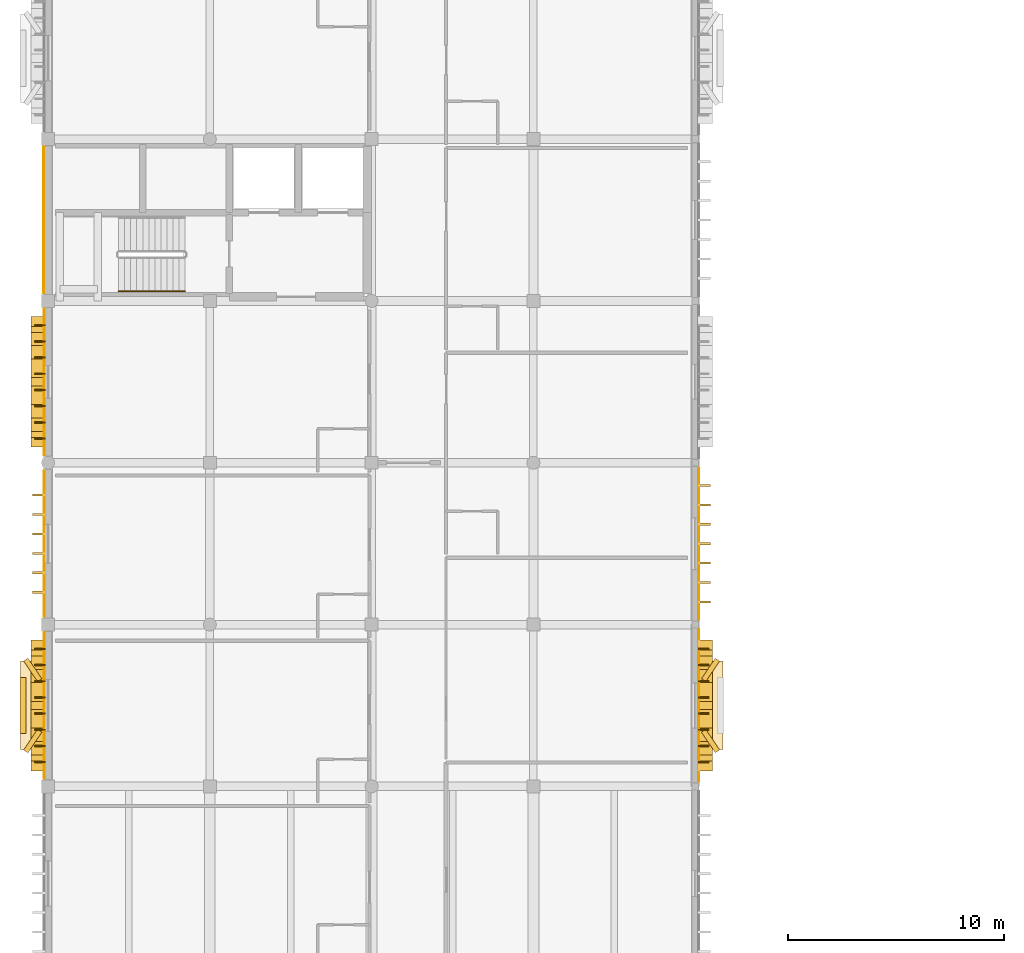
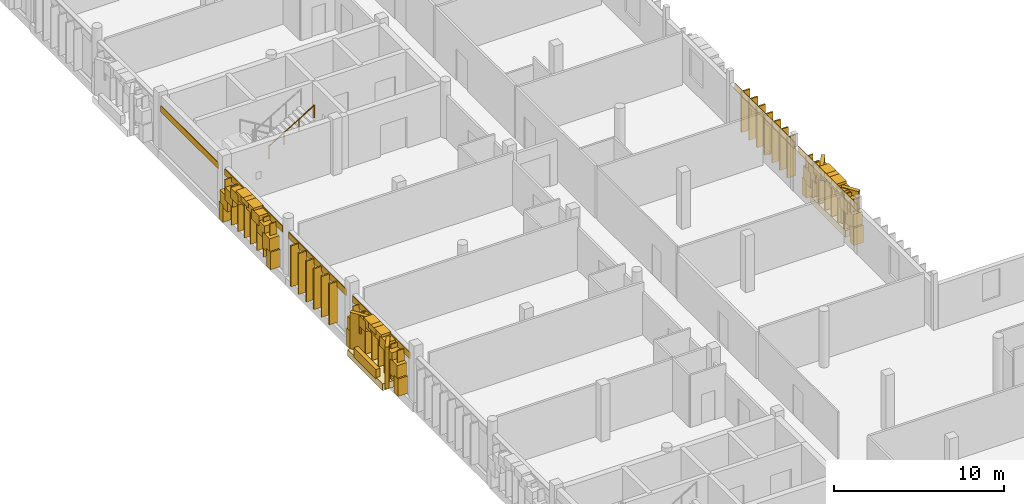
# One storey, part 25 of 33: 59 coverings, 24 shading devices, 1 railing.
"""IFC4 building model written with IfcOpenShell, lengths in metres."""

from ifc_helpers import new_model, si_unit, direction, frame, origin, origin_2d, place, context, subcontext, project, spatial, rectangle, circle, extrude, material, layer, layer_set, type_object, element, save


model = new_model("IFC4")

# Units and contexts
model_context = context("Model", 3, precision=1e-05, world=origin(), true_north=direction((0.0, 1.0)))
body_context = subcontext(model_context, "Body", "Model", "MODEL_VIEW")
ifc_project = project(units=[si_unit("LENGTHUNIT", "METRE"), si_unit("AREAUNIT", "SQUARE_METRE"), si_unit("VOLUMEUNIT", "CUBIC_METRE"), si_unit("PLANEANGLEUNIT", "RADIAN"), si_unit("MASSUNIT", "GRAM", prefix="KILO")], contexts=[model_context])

# Site, building, storey
site_placement = place(None, origin())
site = spatial("IfcSite", under=ifc_project, at=site_placement, CompositionType="ELEMENT")
building_placement = place(site_placement, origin())
building = spatial("IfcBuilding", under=site, at=building_placement, Name="Dalvernix Boulevard General Hospital", CompositionType="ELEMENT")
storey_placement = place(building_placement, frame((0.0, 0.0, 21.89990234375)))
storey = spatial("IfcBuildingStorey", under=building, at=storey_placement, Name="L05", CompositionType="ELEMENT", Elevation=21.89990234375)

# Coverings
ifc_material_1 = material(Name="Pressed Catalan clay brick and dressed limestone parabolic archivolt", Category="masonry")
ifc_layer_1 = layer(ifc_material_1, 0.419921875)
ifc_layer_set_1 = layer_set([ifc_layer_1], Name="Pressed Catalan clay brick and dressed limestone parabolic archivolt (COV-ARC-01)")
covering_type_1 = type_object("IfcCoveringType", Name="COV-ARC-01", PredefinedType="CLADDING", material=ifc_layer_set_1)
for number, where, z_axis, x_axis, name in (
    (1, (-0.4599609375, 32.449951171875, 0.0), (0.0, 0.0, 1.0), (0.0, 1.0, 0.0), "L05 Catalan parabolic arch impost pier W 0-4-L"),
    (2, (-0.4599609375, 38.050048828125, 0.0), (0.0, 0.0, 1.0), (0.0, 1.0, 0.0), "L05 Catalan parabolic arch impost pier W 0-4-R"),
):
    element("IfcCovering", number, at=place(storey_placement, frame(where, z_axis=z_axis, x_axis=x_axis)), inside=storey, type_object=covering_type_1, Name=name, PredefinedType="CLADDING", context=body_context, shape_type="SweptSolid", body=[
        extrude(rectangle(XDim=0.4599609375, YDim=0.659912109375, at=origin_2d()), origin(), (0.0, 0.0, 1.0), 1.25),
    ])
covering_1_placement = place(storey_placement, frame((-0.4599609375, 32.760986328125, 1.06005859375), z_axis=(0.0, 0.0, 1.0), x_axis=(0.0, 1.0, 0.0)))
element("IfcCovering", 3, at=covering_1_placement, inside=storey, type_object=covering_type_1, Name="L05 Catalan parabolic archivolt voussoir W 0-4-1", PredefinedType="CLADDING", context=body_context, shape_type="SweptSolid", body=[
    extrude(rectangle(XDim=0.8623046875, YDim=0.659912109375, at=origin_2d()), origin(), (0.0, 0.0, 1.0), 1.091064453125),
])
covering_2_placement = place(storey_placement, frame((-0.4599609375, 33.38330078125, 1.77099609375), z_axis=(0.0, 0.0, 1.0), x_axis=(0.0, 1.0, 0.0)))
element("IfcCovering", 4, at=covering_2_placement, inside=storey, type_object=covering_type_1, Name="L05 Catalan parabolic archivolt voussoir W 0-4-2", PredefinedType="CLADDING", context=body_context, shape_type="SweptSolid", body=[
    extrude(rectangle(XDim=0.8623046875, YDim=0.659912109375, at=origin_2d()), origin(), (0.0, 0.0, 1.0), 0.913330078125),
])
covering_3_placement = place(storey_placement, frame((-0.4599609375, 34.005615234375, 2.3046875), z_axis=(0.0, 0.0, 1.0), x_axis=(0.0, 1.0, 0.0)))
element("IfcCovering", 5, at=covering_3_placement, inside=storey, type_object=covering_type_1, Name="L05 Catalan parabolic archivolt voussoir W 0-4-3", PredefinedType="CLADDING", context=body_context, shape_type="SweptSolid", body=[
    extrude(rectangle(XDim=0.8623046875, YDim=0.659912109375, at=origin_2d()), origin(), (0.0, 0.0, 1.0), 0.735595703125),
])
covering_4_placement = place(storey_placement, frame((-0.4599609375, 34.627685546875, 2.66015625), z_axis=(0.0, 0.0, 1.0), x_axis=(0.0, 1.0, 0.0)))
element("IfcCovering", 6, at=covering_4_placement, inside=storey, type_object=covering_type_1, Name="L05 Catalan parabolic archivolt voussoir W 0-4-4", PredefinedType="CLADDING", context=body_context, shape_type="SweptSolid", body=[
    extrude(rectangle(XDim=0.8623046875, YDim=0.659912109375, at=origin_2d()), origin(), (0.0, 0.0, 1.0), 0.557861328125),
])
covering_5_placement = place(storey_placement, frame((-0.4599609375, 35.25, 2.837890625), z_axis=(0.0, 0.0, 1.0), x_axis=(0.0, 1.0, 0.0)))
element("IfcCovering", 7, at=covering_5_placement, inside=storey, type_object=covering_type_1, Name="L05 Catalan parabolic archivolt voussoir W 0-4-5", PredefinedType="CLADDING", context=body_context, shape_type="SweptSolid", body=[
    extrude(rectangle(XDim=0.8623046875, YDim=0.659912109375, at=origin_2d()), origin(), (0.0, 0.0, 1.0), 0.3798828125),
])
covering_6_placement = place(storey_placement, frame((-0.4599609375, 35.872314453125, 2.66015625), z_axis=(0.0, 0.0, 1.0), x_axis=(0.0, 1.0, 0.0)))
element("IfcCovering", 8, at=covering_6_placement, inside=storey, type_object=covering_type_1, Name="L05 Catalan parabolic archivolt voussoir W 0-4-6", PredefinedType="CLADDING", context=body_context, shape_type="SweptSolid", body=[
    extrude(rectangle(XDim=0.8623046875, YDim=0.659912109375, at=origin_2d()), origin(), (0.0, 0.0, 1.0), 0.557861328125),
])
covering_7_placement = place(storey_placement, frame((-0.4599609375, 36.494384765625, 2.3046875), z_axis=(0.0, 0.0, 1.0), x_axis=(0.0, 1.0, 0.0)))
element("IfcCovering", 9, at=covering_7_placement, inside=storey, type_object=covering_type_1, Name="L05 Catalan parabolic archivolt voussoir W 0-4-7", PredefinedType="CLADDING", context=body_context, shape_type="SweptSolid", body=[
    extrude(rectangle(XDim=0.8623046875, YDim=0.659912109375, at=origin_2d()), origin(), (0.0, 0.0, 1.0), 0.735595703125),
])
covering_8_placement = place(storey_placement, frame((-0.4599609375, 37.11669921875, 1.77099609375), z_axis=(0.0, 0.0, 1.0), x_axis=(0.0, 1.0, 0.0)))
element("IfcCovering", 10, at=covering_8_placement, inside=storey, type_object=covering_type_1, Name="L05 Catalan parabolic archivolt voussoir W 0-4-8", PredefinedType="CLADDING", context=body_context, shape_type="SweptSolid", body=[
    extrude(rectangle(XDim=0.8623046875, YDim=0.659912109375, at=origin_2d()), origin(), (0.0, 0.0, 1.0), 0.913330078125),
])
covering_9_placement = place(storey_placement, frame((-0.4599609375, 37.739013671875, 1.06005859375), z_axis=(0.0, 0.0, 1.0), x_axis=(0.0, 1.0, 0.0)))
element("IfcCovering", 11, at=covering_9_placement, inside=storey, type_object=covering_type_1, Name="L05 Catalan parabolic archivolt voussoir W 0-4-9", PredefinedType="CLADDING", context=body_context, shape_type="SweptSolid", body=[
    extrude(rectangle(XDim=0.8623046875, YDim=0.659912109375, at=origin_2d()), origin(), (0.0, 0.0, 1.0), 1.091064453125),
])
for number, where, z_axis, x_axis, name in (
    (12, (-0.4599609375, 47.449951171875, 0.0), (0.0, 0.0, 1.0), (0.0, 1.0, 0.0), "L05 Catalan parabolic arch impost pier W 0-6-L"),
    (13, (-0.4599609375, 53.050048828125, 0.0), (0.0, 0.0, 1.0), (0.0, 1.0, 0.0), "L05 Catalan parabolic arch impost pier W 0-6-R"),
):
    element("IfcCovering", number, at=place(storey_placement, frame(where, z_axis=z_axis, x_axis=x_axis)), inside=storey, type_object=covering_type_1, Name=name, PredefinedType="CLADDING", context=body_context, shape_type="SweptSolid", body=[
        extrude(rectangle(XDim=0.4599609375, YDim=0.659912109375, at=origin_2d()), origin(), (0.0, 0.0, 1.0), 1.25),
    ])
covering_10_placement = place(storey_placement, frame((-0.4599609375, 47.760986328125, 1.06005859375), z_axis=(0.0, 0.0, 1.0), x_axis=(0.0, 1.0, 0.0)))
element("IfcCovering", 14, at=covering_10_placement, inside=storey, type_object=covering_type_1, Name="L05 Catalan parabolic archivolt voussoir W 0-6-1", PredefinedType="CLADDING", context=body_context, shape_type="SweptSolid", body=[
    extrude(rectangle(XDim=0.8623046875, YDim=0.659912109375, at=origin_2d()), origin(), (0.0, 0.0, 1.0), 1.091064453125),
])
covering_11_placement = place(storey_placement, frame((-0.4599609375, 48.38330078125, 1.77099609375), z_axis=(0.0, 0.0, 1.0), x_axis=(0.0, 1.0, 0.0)))
element("IfcCovering", 15, at=covering_11_placement, inside=storey, type_object=covering_type_1, Name="L05 Catalan parabolic archivolt voussoir W 0-6-2", PredefinedType="CLADDING", context=body_context, shape_type="SweptSolid", body=[
    extrude(rectangle(XDim=0.8623046875, YDim=0.659912109375, at=origin_2d()), origin(), (0.0, 0.0, 1.0), 0.913330078125),
])
covering_12_placement = place(storey_placement, frame((-0.4599609375, 49.005615234375, 2.3046875), z_axis=(0.0, 0.0, 1.0), x_axis=(0.0, 1.0, 0.0)))
element("IfcCovering", 16, at=covering_12_placement, inside=storey, type_object=covering_type_1, Name="L05 Catalan parabolic archivolt voussoir W 0-6-3", PredefinedType="CLADDING", context=body_context, shape_type="SweptSolid", body=[
    extrude(rectangle(XDim=0.8623046875, YDim=0.659912109375, at=origin_2d()), origin(), (0.0, 0.0, 1.0), 0.735595703125),
])
covering_13_placement = place(storey_placement, frame((-0.4599609375, 49.627685546875, 2.66015625), z_axis=(0.0, 0.0, 1.0), x_axis=(0.0, 1.0, 0.0)))
element("IfcCovering", 17, at=covering_13_placement, inside=storey, type_object=covering_type_1, Name="L05 Catalan parabolic archivolt voussoir W 0-6-4", PredefinedType="CLADDING", context=body_context, shape_type="SweptSolid", body=[
    extrude(rectangle(XDim=0.8623046875, YDim=0.659912109375, at=origin_2d()), origin(), (0.0, 0.0, 1.0), 0.557861328125),
])
covering_14_placement = place(storey_placement, frame((-0.4599609375, 50.25, 2.837890625), z_axis=(0.0, 0.0, 1.0), x_axis=(0.0, 1.0, 0.0)))
element("IfcCovering", 18, at=covering_14_placement, inside=storey, type_object=covering_type_1, Name="L05 Catalan parabolic archivolt voussoir W 0-6-5", PredefinedType="CLADDING", context=body_context, shape_type="SweptSolid", body=[
    extrude(rectangle(XDim=0.8623046875, YDim=0.659912109375, at=origin_2d()), origin(), (0.0, 0.0, 1.0), 0.3798828125),
])
covering_15_placement = place(storey_placement, frame((-0.4599609375, 50.872314453125, 2.66015625), z_axis=(0.0, 0.0, 1.0), x_axis=(0.0, 1.0, 0.0)))
element("IfcCovering", 19, at=covering_15_placement, inside=storey, type_object=covering_type_1, Name="L05 Catalan parabolic archivolt voussoir W 0-6-6", PredefinedType="CLADDING", context=body_context, shape_type="SweptSolid", body=[
    extrude(rectangle(XDim=0.8623046875, YDim=0.659912109375, at=origin_2d()), origin(), (0.0, 0.0, 1.0), 0.557861328125),
])
covering_16_placement = place(storey_placement, frame((-0.4599609375, 51.494384765625, 2.3046875), z_axis=(0.0, 0.0, 1.0), x_axis=(0.0, 1.0, 0.0)))
element("IfcCovering", 20, at=covering_16_placement, inside=storey, type_object=covering_type_1, Name="L05 Catalan parabolic archivolt voussoir W 0-6-7", PredefinedType="CLADDING", context=body_context, shape_type="SweptSolid", body=[
    extrude(rectangle(XDim=0.8623046875, YDim=0.659912109375, at=origin_2d()), origin(), (0.0, 0.0, 1.0), 0.735595703125),
])
covering_17_placement = place(storey_placement, frame((-0.4599609375, 52.11669921875, 1.77099609375), z_axis=(0.0, 0.0, 1.0), x_axis=(0.0, 1.0, 0.0)))
element("IfcCovering", 21, at=covering_17_placement, inside=storey, type_object=covering_type_1, Name="L05 Catalan parabolic archivolt voussoir W 0-6-8", PredefinedType="CLADDING", context=body_context, shape_type="SweptSolid", body=[
    extrude(rectangle(XDim=0.8623046875, YDim=0.659912109375, at=origin_2d()), origin(), (0.0, 0.0, 1.0), 0.913330078125),
])
covering_18_placement = place(storey_placement, frame((-0.4599609375, 52.739013671875, 1.06005859375), z_axis=(0.0, 0.0, 1.0), x_axis=(0.0, 1.0, 0.0)))
element("IfcCovering", 22, at=covering_18_placement, inside=storey, type_object=covering_type_1, Name="L05 Catalan parabolic archivolt voussoir W 0-6-9", PredefinedType="CLADDING", context=body_context, shape_type="SweptSolid", body=[
    extrude(rectangle(XDim=0.8623046875, YDim=0.659912109375, at=origin_2d()), origin(), (0.0, 0.0, 1.0), 1.091064453125),
])
for number, where, z_axis, x_axis, name in (
    (23, (30.4599609375, 38.050048828125, 0.0), (0.0, 0.0, 1.0), (0.0, -1.0, 0.0), "L05 Catalan parabolic arch impost pier E 4-4-L"),
    (24, (30.4599609375, 32.449951171875, 0.0), (0.0, 0.0, 1.0), (0.0, -1.0, 0.0), "L05 Catalan parabolic arch impost pier E 4-4-R"),
):
    element("IfcCovering", number, at=place(storey_placement, frame(where, z_axis=z_axis, x_axis=x_axis)), inside=storey, type_object=covering_type_1, Name=name, PredefinedType="CLADDING", context=body_context, shape_type="SweptSolid", body=[
        extrude(rectangle(XDim=0.4599609375, YDim=0.659912109375, at=origin_2d()), origin(), (0.0, 0.0, 1.0), 1.25),
    ])
covering_19_placement = place(storey_placement, frame((30.4599609375, 37.739013671875, 1.06005859375), z_axis=(0.0, 0.0, 1.0), x_axis=(0.0, -1.0, 0.0)))
element("IfcCovering", 25, at=covering_19_placement, inside=storey, type_object=covering_type_1, Name="L05 Catalan parabolic archivolt voussoir E 4-4-1", PredefinedType="CLADDING", context=body_context, shape_type="SweptSolid", body=[
    extrude(rectangle(XDim=0.8623046875, YDim=0.659912109375, at=origin_2d()), origin(), (0.0, 0.0, 1.0), 1.091064453125),
])
covering_20_placement = place(storey_placement, frame((30.4599609375, 37.11669921875, 1.77099609375), z_axis=(0.0, 0.0, 1.0), x_axis=(0.0, -1.0, 0.0)))
element("IfcCovering", 26, at=covering_20_placement, inside=storey, type_object=covering_type_1, Name="L05 Catalan parabolic archivolt voussoir E 4-4-2", PredefinedType="CLADDING", context=body_context, shape_type="SweptSolid", body=[
    extrude(rectangle(XDim=0.8623046875, YDim=0.659912109375, at=origin_2d()), origin(), (0.0, 0.0, 1.0), 0.913330078125),
])
covering_21_placement = place(storey_placement, frame((30.4599609375, 36.494384765625, 2.3046875), z_axis=(0.0, 0.0, 1.0), x_axis=(0.0, -1.0, 0.0)))
element("IfcCovering", 27, at=covering_21_placement, inside=storey, type_object=covering_type_1, Name="L05 Catalan parabolic archivolt voussoir E 4-4-3", PredefinedType="CLADDING", context=body_context, shape_type="SweptSolid", body=[
    extrude(rectangle(XDim=0.8623046875, YDim=0.659912109375, at=origin_2d()), origin(), (0.0, 0.0, 1.0), 0.735595703125),
])
covering_22_placement = place(storey_placement, frame((30.4599609375, 35.872314453125, 2.66015625), z_axis=(0.0, 0.0, 1.0), x_axis=(0.0, -1.0, 0.0)))
element("IfcCovering", 28, at=covering_22_placement, inside=storey, type_object=covering_type_1, Name="L05 Catalan parabolic archivolt voussoir E 4-4-4", PredefinedType="CLADDING", context=body_context, shape_type="SweptSolid", body=[
    extrude(rectangle(XDim=0.8623046875, YDim=0.659912109375, at=origin_2d()), origin(), (0.0, 0.0, 1.0), 0.557861328125),
])
covering_23_placement = place(storey_placement, frame((30.4599609375, 35.25, 2.837890625), z_axis=(0.0, 0.0, 1.0), x_axis=(0.0, -1.0, 0.0)))
element("IfcCovering", 29, at=covering_23_placement, inside=storey, type_object=covering_type_1, Name="L05 Catalan parabolic archivolt voussoir E 4-4-5", PredefinedType="CLADDING", context=body_context, shape_type="SweptSolid", body=[
    extrude(rectangle(XDim=0.8623046875, YDim=0.659912109375, at=origin_2d()), origin(), (0.0, 0.0, 1.0), 0.3798828125),
])
covering_24_placement = place(storey_placement, frame((30.4599609375, 34.627685546875, 2.66015625), z_axis=(0.0, 0.0, 1.0), x_axis=(0.0, -1.0, 0.0)))
element("IfcCovering", 30, at=covering_24_placement, inside=storey, type_object=covering_type_1, Name="L05 Catalan parabolic archivolt voussoir E 4-4-6", PredefinedType="CLADDING", context=body_context, shape_type="SweptSolid", body=[
    extrude(rectangle(XDim=0.8623046875, YDim=0.659912109375, at=origin_2d()), origin(), (0.0, 0.0, 1.0), 0.557861328125),
])
covering_25_placement = place(storey_placement, frame((30.4599609375, 34.005615234375, 2.3046875), z_axis=(0.0, 0.0, 1.0), x_axis=(0.0, -1.0, 0.0)))
element("IfcCovering", 31, at=covering_25_placement, inside=storey, type_object=covering_type_1, Name="L05 Catalan parabolic archivolt voussoir E 4-4-7", PredefinedType="CLADDING", context=body_context, shape_type="SweptSolid", body=[
    extrude(rectangle(XDim=0.8623046875, YDim=0.659912109375, at=origin_2d()), origin(), (0.0, 0.0, 1.0), 0.735595703125),
])
covering_26_placement = place(storey_placement, frame((30.4599609375, 33.38330078125, 1.77099609375), z_axis=(0.0, 0.0, 1.0), x_axis=(0.0, -1.0, 0.0)))
element("IfcCovering", 32, at=covering_26_placement, inside=storey, type_object=covering_type_1, Name="L05 Catalan parabolic archivolt voussoir E 4-4-8", PredefinedType="CLADDING", context=body_context, shape_type="SweptSolid", body=[
    extrude(rectangle(XDim=0.8623046875, YDim=0.659912109375, at=origin_2d()), origin(), (0.0, 0.0, 1.0), 0.913330078125),
])
covering_27_placement = place(storey_placement, frame((30.4599609375, 32.760986328125, 1.06005859375), z_axis=(0.0, 0.0, 1.0), x_axis=(0.0, -1.0, 0.0)))
element("IfcCovering", 33, at=covering_27_placement, inside=storey, type_object=covering_type_1, Name="L05 Catalan parabolic archivolt voussoir E 4-4-9", PredefinedType="CLADDING", context=body_context, shape_type="SweptSolid", body=[
    extrude(rectangle(XDim=0.8623046875, YDim=0.659912109375, at=origin_2d()), origin(), (0.0, 0.0, 1.0), 1.091064453125),
])
ifc_material_2 = material(Name="Polychrome glazed Catalan trencadis ceramic faceted bay spandrel")
ifc_layer_2 = layer(ifc_material_2, 0.280029296875)
ifc_layer_set_2 = layer_set([ifc_layer_2], Name="Polychrome glazed Catalan trencadis ceramic faceted bay spandrel (COV-BAY-01)")
covering_type_2 = type_object("IfcCoveringType", Name="COV-BAY-01", PredefinedType="CLADDING", material=ifc_layer_set_2)
covering_28_placement = place(storey_placement, frame((-1.159912109375, 35.25, 0.38037109375), z_axis=(0.0, 0.0, 1.0), x_axis=(0.0, 1.0, 0.0)))
element("IfcCovering", 34, at=covering_28_placement, inside=storey, type_object=covering_type_2, Name="L05 projecting faceted trencadis bay spandrel W 0-4", PredefinedType="CLADDING", context=body_context, shape_type="SweptSolid", body=[
    extrude(rectangle(XDim=2.60009765625, YDim=0.280029296875, at=origin_2d()), origin(), (0.0, 0.0, 1.0), 0.679931640625),
])
for number, where, z_axis, x_axis, name in (
    (35, (-0.7099609375, 33.60009765625, 0.080078125), (0.0, 0.0, 1.0), (0.559192903471, 0.829037572555, 0.0), "L05 projecting faceted Catalan bay cheek W 0-4-L"),
    (36, (-0.7099609375, 36.89990234375, 0.080078125), (0.0, 0.0, 1.0), (-0.559192903471, 0.829037572555, 0.0), "L05 projecting faceted Catalan bay cheek W 0-4-R"),
    (37, (30.7099609375, 36.89990234375, 0.080078125), (0.0, 0.0, 1.0), (-0.559192903471, -0.829037572555, 0.0), "L05 projecting faceted Catalan bay cheek E 4-4-L"),
    (38, (30.7099609375, 33.60009765625, 0.080078125), (0.0, 0.0, 1.0), (0.559192903471, -0.829037572555, 0.0), "L05 projecting faceted Catalan bay cheek E 4-4-R"),
):
    element("IfcCovering", number, at=place(storey_placement, frame(where, z_axis=z_axis, x_axis=x_axis)), inside=storey, type_object=covering_type_2, Name=name, PredefinedType="CLADDING", context=body_context, shape_type="SweptSolid", body=[
        extrude(rectangle(XDim=1.14990234375, YDim=0.239990234375, at=origin_2d()), origin(), (0.0, 0.0, 1.0), 3.010009765625),
    ])
ifc_material_3 = material(Name="Polychrome Catalan glazed ceramic spandrel tile panel")
ifc_layer_3 = layer(ifc_material_3, 0.044921875)
ifc_layer_set_3 = layer_set([ifc_layer_3], Name="Polychrome Catalan glazed ceramic spandrel tile panel (COV-CLD-01)")
covering_type_3 = type_object("IfcCoveringType", Name="COV-CLD-01", PredefinedType="CLADDING", material=ifc_layer_set_3)
for number, where, z_axis, x_axis, name in (
    (39, (-0.169921875, 35.25, 2.6953125), (0.0, 0.0, 1.0), (0.0, 1.0, 0.0), "L05 polychrome ceramic spandrel W 0-4"),
    (40, (-0.169921875, 42.75, 2.6953125), (0.0, 0.0, 1.0), (0.0, 1.0, 0.0), "L05 polychrome ceramic spandrel W 0-5"),
    (41, (-0.169921875, 50.25, 2.6953125), (0.0, 0.0, 1.0), (0.0, 1.0, 0.0), "L05 polychrome ceramic spandrel W 0-6"),
    (42, (-0.195068359375, 57.75, 2.6953125), (0.0, 0.0, 1.0), (0.0, 1.0, 0.0), "L05 polychrome ceramic spandrel W 0-7"),
):
    element("IfcCovering", number, at=place(storey_placement, frame(where, z_axis=z_axis, x_axis=x_axis)), inside=storey, type_object=covering_type_3, Name=name, PredefinedType="CLADDING", context=body_context, shape_type="SweptSolid", body=[
        extrude(rectangle(XDim=6.780029296875, YDim=0.044921875, at=origin_2d()), origin(), (0.0, 0.0, 1.0), 0.449951171875),
    ])
for number, where, z_axis, x_axis, name in (
    (43, (30.169921875, 35.25, 2.6953125), (0.0, 0.0, 1.0), (0.0, -1.0, 0.0), "L05 polychrome ceramic spandrel E 4-4"),
    (44, (30.169921875, 42.75, 2.6953125), (0.0, 0.0, 1.0), (0.0, -1.0, 0.0), "L05 polychrome ceramic spandrel E 4-5"),
):
    element("IfcCovering", number, at=place(storey_placement, frame(where, z_axis=z_axis, x_axis=x_axis)), inside=storey, type_object=covering_type_3, Name=name, PredefinedType="CLADDING", context=body_context, shape_type="SweptSolid", body=[
        extrude(rectangle(XDim=7.06005859375, YDim=0.044921875, at=origin_2d()), origin(), (0.0, 0.0, 1.0), 0.449951171875),
    ])
ifc_material_4 = material(Name="Dressed ochre limestone classical plinth, stringcourse and corbelled cornice", Category="masonry")
ifc_layer_4 = layer(ifc_material_4, 0.449951171875)
ifc_layer_set_4 = layer_set([ifc_layer_4], Name="Dressed ochre limestone classical plinth, stringcourse and corbelled cornice (COV-CRN-01)")
covering_type_4 = type_object("IfcCoveringType", Name="COV-CRN-01", PredefinedType="CLADDING", material=ifc_layer_set_4)
for number, where, z_axis, x_axis, name in (
    (45, (-0.705078125, 35.25, 0.0), (0.0, 0.0, 1.0), (0.0, 1.0, 0.0), "L05 projecting Catalan bay corbel base W 0-4"),
    (46, (30.705078125, 35.25, 0.0), (0.0, 0.0, 1.0), (0.0, -1.0, 0.0), "L05 projecting Catalan bay corbel base E 4-4"),
):
    element("IfcCovering", number, at=place(storey_placement, frame(where, z_axis=z_axis, x_axis=x_axis)), inside=storey, type_object=covering_type_4, Name=name, PredefinedType="CLADDING", context=body_context, shape_type="SweptSolid", body=[
        extrude(rectangle(XDim=4.10009765625, YDim=1.14990234375, at=origin_2d()), origin(), (0.0, 0.0, 1.0), 0.47998046875),
    ])
ifc_material_5 = material(Name="Terracotta-clad iroko timber brise-soleil sun-breaker fin", Category="masonry")
ifc_layer_5 = layer(ifc_material_5, 0.10009765625)
ifc_layer_set_5 = layer_set([ifc_layer_5], Name="Terracotta-clad iroko timber brise-soleil sun-breaker fin (COV-FIN-02)")
covering_type_5 = type_object("IfcCoveringType", Name="COV-FIN-02", PredefinedType="CLADDING", material=ifc_layer_set_5)
for number, where, z_axis, x_axis, name in (
    (47, (-0.419921875, 40.5, 0.1201171875), (0.0, 0.0, 1.0), (0.0, 1.0, 0.0), "L05 terracotta brise-soleil fin W 0-5-1"),
    (48, (-0.419921875, 41.39990234375, 0.1201171875), (0.0, 0.0, 1.0), (0.0, 1.0, 0.0), "L05 terracotta brise-soleil fin W 0-5-2"),
    (49, (-0.419921875, 42.300048828125, 0.1201171875), (0.0, 0.0, 1.0), (0.0, 1.0, 0.0), "L05 terracotta brise-soleil fin W 0-5-3"),
    (50, (-0.419921875, 43.199951171875, 0.1201171875), (0.0, 0.0, 1.0), (0.0, 1.0, 0.0), "L05 terracotta brise-soleil fin W 0-5-4"),
    (51, (-0.419921875, 44.10009765625, 0.1201171875), (0.0, 0.0, 1.0), (0.0, 1.0, 0.0), "L05 terracotta brise-soleil fin W 0-5-5"),
    (52, (-0.419921875, 45.0, 0.1201171875), (0.0, 0.0, 1.0), (0.0, 1.0, 0.0), "L05 terracotta brise-soleil fin W 0-5-6"),
    (53, (30.419921875, 45.449951171875, 0.1201171875), (0.0, 0.0, 1.0), (0.0, -1.0, 0.0), "L05 terracotta brise-soleil fin E 4-5-1"),
    (54, (30.419921875, 44.550048828125, 0.1201171875), (0.0, 0.0, 1.0), (0.0, -1.0, 0.0), "L05 terracotta brise-soleil fin E 4-5-2"),
    (55, (30.419921875, 43.64990234375, 0.1201171875), (0.0, 0.0, 1.0), (0.0, -1.0, 0.0), "L05 terracotta brise-soleil fin E 4-5-3"),
    (56, (30.419921875, 42.75, 0.1201171875), (0.0, 0.0, 1.0), (0.0, -1.0, 0.0), "L05 terracotta brise-soleil fin E 4-5-4"),
    (57, (30.419921875, 41.85009765625, 0.1201171875), (0.0, 0.0, 1.0), (0.0, -1.0, 0.0), "L05 terracotta brise-soleil fin E 4-5-5"),
    (58, (30.419921875, 40.949951171875, 0.1201171875), (0.0, 0.0, 1.0), (0.0, -1.0, 0.0), "L05 terracotta brise-soleil fin E 4-5-6"),
    (59, (30.419921875, 40.050048828125, 0.1201171875), (0.0, 0.0, 1.0), (0.0, -1.0, 0.0), "L05 terracotta brise-soleil fin E 4-5-7"),
):
    element("IfcCovering", number, at=place(storey_placement, frame(where, z_axis=z_axis, x_axis=x_axis)), inside=storey, type_object=covering_type_5, Name=name, PredefinedType="CLADDING", context=body_context, shape_type="SweptSolid", body=[
        extrude(rectangle(XDim=0.10009765625, YDim=0.580078125, at=origin_2d()), origin(), (0.0, 0.0, 1.0), 2.929931640625),
    ])

# Railing
ifc_material_6 = material(Name="Brushed stainless steel wall handrail", Category="steel")
railing_type = type_object("IfcRailingType", Name="RL-HR-INT1", PredefinedType="HANDRAIL", material=ifc_material_6)
railing_placement = place(storey_placement, frame((3.27001953125, 54.449951171875, 2.19384765625)))
element("IfcRailing", 60, at=railing_placement, inside=storey, type_object=railing_type, Name="L05 ST-02 stair handrail 2", PredefinedType="HANDRAIL", context=body_context, shape_type="SweptSolid", body=[
    extrude(circle(Radius=0.02392578125, at=origin_2d()), frame((0.0, 0.0, 0.8759765625), z_axis=(0.856490936558, 0.0, 0.516162063304), x_axis=(0.0, 1.0, 0.0)), (0.0, 0.0, 1.0), 3.59619140625),
    extrude(circle(Radius=0.02099609375, at=origin_2d()), origin(), (0.0, 0.0, 1.0), 0.851806640625),
    extrude(circle(Radius=0.02099609375, at=origin_2d()), frame((1.026611328125, 0.0, 0.61865234375)), (0.0, 0.0, 1.0), 0.851806640625),
    extrude(circle(Radius=0.02099609375, at=origin_2d()), frame((2.053466796875, 0.0, 1.237548828125)), (0.0, 0.0, 1.0), 0.851806640625),
    extrude(circle(Radius=0.02099609375, at=origin_2d()), frame((3.080078125, 0.0, 1.856201171875)), (0.0, 0.0, 1.0), 0.851806640625),
])

# Shading devices
ifc_material_7 = material(Name="Preservative-treated West African iroko timber", Category="wood")
shading_device_type = type_object("IfcShadingDeviceType", Name="SHD-FIN-01", PredefinedType="USERDEFINED", material=ifc_material_7)
for number, where, z_axis, x_axis, name in (
    (61, (-0.3798828125, 32.625, 0.17529296875), (0.0, 0.0, 1.0), (0.0, 1.0, 0.0), "L05 iroko brise-soleil fin 1"),
    (62, (-0.3798828125, 33.375, 0.17529296875), (0.0, 0.0, 1.0), (0.0, 1.0, 0.0), "L05 iroko brise-soleil fin 2"),
    (63, (-0.3798828125, 34.125, 0.17529296875), (0.0, 0.0, 1.0), (0.0, 1.0, 0.0), "L05 iroko brise-soleil fin 3"),
    (64, (-0.3798828125, 34.875, 0.17529296875), (0.0, 0.0, 1.0), (0.0, 1.0, 0.0), "L05 iroko brise-soleil fin 4"),
    (65, (-0.3798828125, 35.625, 0.17529296875), (0.0, 0.0, 1.0), (0.0, 1.0, 0.0), "L05 iroko brise-soleil fin 5"),
    (66, (-0.3798828125, 36.375, 0.17529296875), (0.0, 0.0, 1.0), (0.0, 1.0, 0.0), "L05 iroko brise-soleil fin 6"),
    (67, (-0.3798828125, 37.125, 0.17529296875), (0.0, 0.0, 1.0), (0.0, 1.0, 0.0), "L05 iroko brise-soleil fin 7"),
    (68, (-0.3798828125, 37.875, 0.17529296875), (0.0, 0.0, 1.0), (0.0, 1.0, 0.0), "L05 iroko brise-soleil fin 8"),
    (69, (-0.3798828125, 47.625, 0.17529296875), (0.0, 0.0, 1.0), (0.0, 1.0, 0.0), "L05 iroko brise-soleil fin 1"),
    (70, (-0.3798828125, 48.375, 0.17529296875), (0.0, 0.0, 1.0), (0.0, 1.0, 0.0), "L05 iroko brise-soleil fin 2"),
    (71, (-0.3798828125, 49.125, 0.17529296875), (0.0, 0.0, 1.0), (0.0, 1.0, 0.0), "L05 iroko brise-soleil fin 3"),
    (72, (-0.3798828125, 49.875, 0.17529296875), (0.0, 0.0, 1.0), (0.0, 1.0, 0.0), "L05 iroko brise-soleil fin 4"),
    (73, (-0.3798828125, 50.625, 0.17529296875), (0.0, 0.0, 1.0), (0.0, 1.0, 0.0), "L05 iroko brise-soleil fin 5"),
    (74, (-0.3798828125, 51.375, 0.17529296875), (0.0, 0.0, 1.0), (0.0, 1.0, 0.0), "L05 iroko brise-soleil fin 6"),
    (75, (-0.3798828125, 52.125, 0.17529296875), (0.0, 0.0, 1.0), (0.0, 1.0, 0.0), "L05 iroko brise-soleil fin 7"),
    (76, (-0.3798828125, 52.875, 0.17529296875), (0.0, 0.0, 1.0), (0.0, 1.0, 0.0), "L05 iroko brise-soleil fin 8"),
    (77, (30.3798828125, 37.875, 0.17529296875), (0.0, 0.0, 1.0), (0.0, -1.0, 0.0), "L05 iroko brise-soleil fin 1"),
    (78, (30.3798828125, 37.125, 0.17529296875), (0.0, 0.0, 1.0), (0.0, -1.0, 0.0), "L05 iroko brise-soleil fin 2"),
    (79, (30.3798828125, 36.375, 0.17529296875), (0.0, 0.0, 1.0), (0.0, -1.0, 0.0), "L05 iroko brise-soleil fin 3"),
    (80, (30.3798828125, 35.625, 0.17529296875), (0.0, 0.0, 1.0), (0.0, -1.0, 0.0), "L05 iroko brise-soleil fin 4"),
    (81, (30.3798828125, 34.875, 0.17529296875), (0.0, 0.0, 1.0), (0.0, -1.0, 0.0), "L05 iroko brise-soleil fin 5"),
    (82, (30.3798828125, 34.125, 0.17529296875), (0.0, 0.0, 1.0), (0.0, -1.0, 0.0), "L05 iroko brise-soleil fin 6"),
    (83, (30.3798828125, 33.375, 0.17529296875), (0.0, 0.0, 1.0), (0.0, -1.0, 0.0), "L05 iroko brise-soleil fin 7"),
    (84, (30.3798828125, 32.625, 0.17529296875), (0.0, 0.0, 1.0), (0.0, -1.0, 0.0), "L05 iroko brise-soleil fin 8"),
):
    element("IfcShadingDevice", number, at=place(storey_placement, frame(where, z_axis=z_axis, x_axis=x_axis)), inside=storey, type_object=shading_device_type, Name=name, ObjectType="FIN", PredefinedType="USERDEFINED", context=body_context, shape_type="SweptSolid", body=[
        extrude(rectangle(XDim=0.06494140625, YDim=0.47998046875, at=origin_2d()), origin(), (0.0, 0.0, 1.0), 2.820068359375),
    ])

save(model, "model.ifc")
